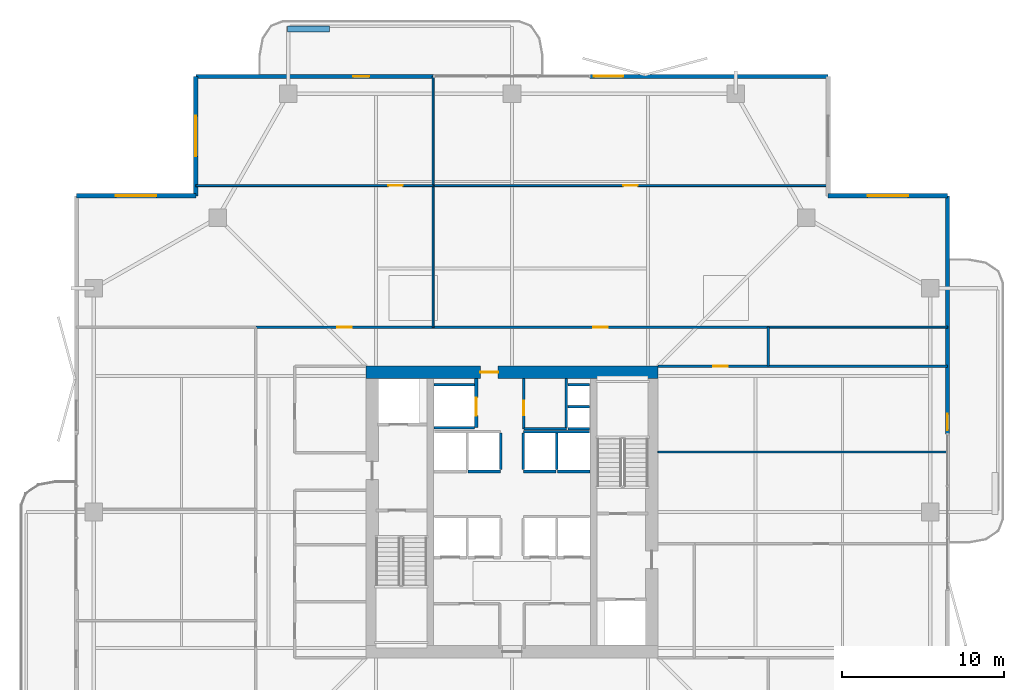
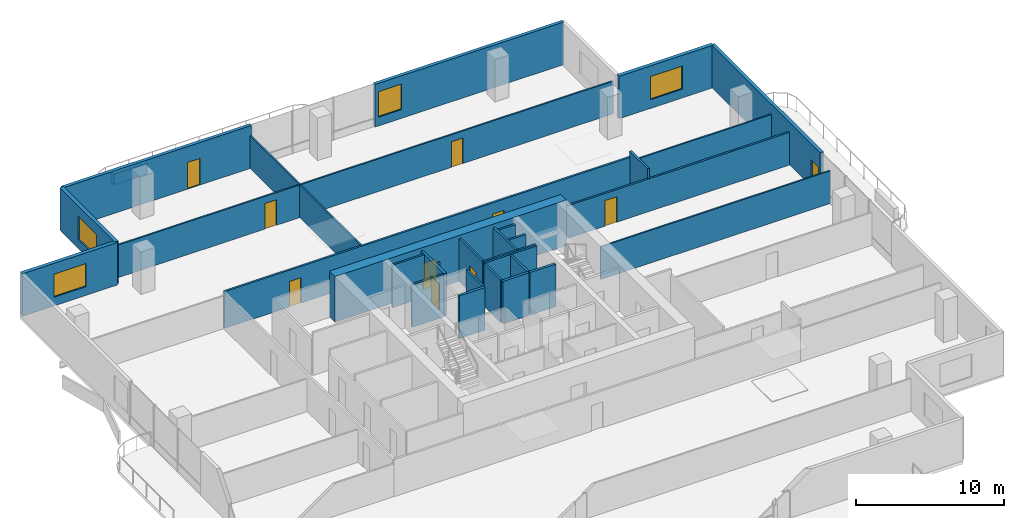
# One storey, part 19 of 24: 32 walls, 10 doors, 4 windows, 14 openings.
"""IFC4 building model written with IfcOpenShell, lengths in metres."""

from ifc_helpers import new_model, si_unit, direction, frame, frame_2d, origin, place, context, subcontext, project, spatial, rectangle, extrude, material, layer, layer_set, type_object, element, fill, save


model = new_model("IFC4")

# Units and contexts
model_context = context("Model", 3, precision=1e-05, world=origin(), true_north=direction((0.0, 1.0)))
body_context = subcontext(model_context, "Body", "Model", "MODEL_VIEW")
ifc_project = project(units=[si_unit("LENGTHUNIT", "METRE"), si_unit("AREAUNIT", "SQUARE_METRE"), si_unit("VOLUMEUNIT", "CUBIC_METRE"), si_unit("PLANEANGLEUNIT", "RADIAN"), si_unit("MASSUNIT", "GRAM", prefix="KILO")], contexts=[model_context])

# Site, building, storey
site_placement = place(None, origin())
site = spatial("IfcSite", under=ifc_project, at=site_placement, CompositionType="ELEMENT")
building_placement = place(site_placement, origin())
building = spatial("IfcBuilding", under=site, at=building_placement, Name="Belovzor Exchange Tower", CompositionType="ELEMENT")
storey_placement = place(building_placement, frame((0.0, 0.0, 237.449951171875)))
storey = spatial("IfcBuildingStorey", under=building, at=storey_placement, Name="L59", CompositionType="ELEMENT", Elevation=237.449951171875)

# Wall, opening, door
ifc_material_1 = material(Name="Acoustic Plasterboard on Galvanised Studs", Category="gypsum")
ifc_layer_1 = layer(ifc_material_1, 0.1201171875)
ifc_layer_set_1 = layer_set([ifc_layer_1], Name="Acoustic Plasterboard on Galvanised Studs")
wall_type_1 = type_object("IfcWallType", Name="Acoustic Double-Stud Partition Wall 120", PredefinedType="PARTITIONING", material=ifc_layer_set_1)
wall_1_placement = place(storey_placement, frame((9.300048828125, 48.93505859375, 0.0), z_axis=(0.0, 0.0, 1.0), x_axis=(1.0, 0.0, 0.0)))
wall_1 = element("IfcWall", 1, at=wall_1_placement, inside=storey, type_object=wall_type_1, Name="W-P120 Partition Wall W-L59-NHDIV-0", PredefinedType="PARTITIONING", context=body_context, shape_type="SweptSolid", body=[
    extrude(rectangle(XDim=14.639892578125, YDim=0.1201171875, at=frame_2d((7.31982421875, 0.0))), origin(), (0.0, 0.0, 1.0), 2.68505859375),
])
opening_1_placement = place(wall_1_placement, frame((11.873046875, 0.0, 0.0)))
opening_1 = element("IfcOpeningElement", 2, at=opening_1_placement, cuts=wall_1, Name="Opening D-INT-090", PredefinedType="OPENING", context=body_context, shape_type="SweptSolid", body=[
    extrude(rectangle(XDim=0.89990234375, YDim=2.10009765625, at=frame_2d((0.449951171875, 1.050048828125))), frame((0.0, 0.070068359375, 0.0), z_axis=(0.0, -1.0, 0.0), x_axis=(1.0, 0.0, 0.0)), (0.0, 0.0, 1.0), 0.14013671875),
])
ifc_material_2 = material(Name="Veneered Hardwood Acoustic Leaf", Category="wood")
door_type_1 = type_object("IfcDoorType", Name="Trading Suite Acoustic Single Door 900x2100", OperationType="NOTDEFINED", PredefinedType="DOOR", material=ifc_material_2)
door_1_placement = place(opening_1_placement, origin())
door_1 = element("IfcDoor", 3, at=door_1_placement, inside=storey, type_object=door_type_1, Name="D-INT-090 Trading Suite Acoustic Single Door 900x2100", OperationType="SINGLE_SWING_RIGHT", OverallHeight=2.10009765625, OverallWidth=0.89990234375, PredefinedType="DOOR", context=body_context, shape_type="SweptSolid", body=[
    extrude(rectangle(XDim=0.89990234375, YDim=2.10009765625, at=frame_2d((0.449951171875, 1.050048828125))), frame((0.0, 0.02490234375, 0.0), z_axis=(0.0, -1.0, 0.0), x_axis=(1.0, 0.0, 0.0)), (0.0, 0.0, 1.0), 0.050048828125),
])
fill(opening_1, door_1)

# Wall
wall_2_placement = place(storey_placement, frame((23.93994140625, 40.199951171875, 0.0), z_axis=(0.0, 0.0, 1.0), x_axis=(0.0, 1.0, 0.0)))
element("IfcWall", 4, at=wall_2_placement, inside=storey, type_object=wall_type_1, Name="W-P120 Partition Wall W-L59-NDIV-1", PredefinedType="PARTITIONING", context=body_context, shape_type="SweptSolid", body=[
    extrude(rectangle(XDim=15.469970703125, YDim=0.1201171875, at=frame_2d((7.73486328125, 0.0))), origin(), (0.0, 0.0, 1.0), 2.68505859375),
])

# Wall, opening, door
wall_3_placement = place(storey_placement, frame((23.93994140625, 48.93505859375, 0.0), z_axis=(0.0, 0.0, 1.0), x_axis=(1.0, 0.0, 0.0)))
wall_3 = element("IfcWall", 5, at=wall_3_placement, inside=storey, type_object=wall_type_1, Name="W-P120 Partition Wall W-L59-NHDIV-1", PredefinedType="PARTITIONING", context=body_context, shape_type="SweptSolid", body=[
    extrude(rectangle(XDim=24.360107421875, YDim=0.1201171875, at=frame_2d((12.18017578125, 0.0))), origin(), (0.0, 0.0, 1.0), 2.68505859375),
])
opening_2_placement = place(wall_3_placement, frame((11.72998046875, 0.0, 0.0)))
opening_2 = element("IfcOpeningElement", 6, at=opening_2_placement, cuts=wall_3, Name="Opening D-INT-090", PredefinedType="OPENING", context=body_context, shape_type="SweptSolid", body=[
    extrude(rectangle(XDim=0.89990234375, YDim=2.10009765625, at=frame_2d((0.449951171875, 1.050048828125))), frame((0.0, 0.070068359375, 0.0), z_axis=(0.0, -1.0, 0.0), x_axis=(1.0, 0.0, 0.0)), (0.0, 0.0, 1.0), 0.14013671875),
])
door_2_placement = place(opening_2_placement, origin())
door_2 = element("IfcDoor", 7, at=door_2_placement, inside=storey, type_object=door_type_1, Name="D-INT-090 Trading Suite Acoustic Single Door 900x2100", OperationType="SINGLE_SWING_RIGHT", OverallHeight=2.10009765625, OverallWidth=0.89990234375, PredefinedType="DOOR", context=body_context, shape_type="SweptSolid", body=[
    extrude(rectangle(XDim=0.89990234375, YDim=2.10009765625, at=frame_2d((0.449951171875, 1.050048828125))), frame((0.0, 0.02490234375, 0.0), z_axis=(0.0, -1.0, 0.0), x_axis=(1.0, 0.0, 0.0)), (0.0, 0.0, 1.0), 0.050048828125),
])
fill(opening_2, door_2)

# Walls
wall_4_placement = place(storey_placement, frame((37.800048828125, 32.5, 0.0), z_axis=(0.0, 0.0, 1.0), x_axis=(1.0, 0.0, 0.0)))
element("IfcWall", 8, at=wall_4_placement, inside=storey, type_object=wall_type_1, Name="W-P120 Partition Wall W-L59-EDIV-2", PredefinedType="PARTITIONING", context=body_context, shape_type="SweptSolid", body=[
    extrude(rectangle(XDim=17.869873046875, YDim=0.1201171875, at=frame_2d((8.93505859375, 0.0))), origin(), (0.0, 0.0, 1.0), 2.68505859375),
])
wall_5_placement = place(storey_placement, frame((44.60009765625, 40.199951171875, 0.0), z_axis=(0.0, 0.0, 1.0), x_axis=(1.0, 0.0, 0.0)))
element("IfcWall", 9, at=wall_5_placement, inside=storey, type_object=wall_type_1, Name="W-P120 Partition Wall W-L59-END-NE", PredefinedType="PARTITIONING", context=body_context, shape_type="SweptSolid", body=[
    extrude(rectangle(XDim=11.06982421875, YDim=0.1201171875, at=frame_2d((5.534912109375, 0.0))), origin(), (0.0, 0.0, 1.0), 2.68505859375),
])

# Wall, opening, door
ifc_material_3 = material(Name="Fire-Rated Gypsum Block and Mineral Wool", Category="gypsum")
ifc_layer_2 = layer(ifc_material_3, 0.14990234375)
ifc_layer_set_2 = layer_set([ifc_layer_2], Name="Fire-Rated Gypsum Block and Mineral Wool")
wall_type_2 = type_object("IfcWallType", Name="Fire-Rated Gypsum Block Corridor Wall 150", PredefinedType="PARTITIONING", material=ifc_layer_set_2)
wall_6_placement = place(storey_placement, frame((29.52490234375, 33.925048828125, 0.0), z_axis=(0.0, 0.0, 1.0), x_axis=(0.0, 1.0, 0.0)))
wall_6 = element("IfcWall", 10, at=wall_6_placement, inside=storey, type_object=wall_type_2, Name="W-P150 Partition Wall W-CRV-L59-W", PredefinedType="PARTITIONING", context=body_context, shape_type="SweptSolid", body=[
    extrude(rectangle(XDim=3.125, YDim=0.14990234375, at=frame_2d((1.5625, 0.0))), origin(), (0.0, 0.0, 1.0), 3.5),
])
opening_3_placement = place(wall_6_placement, frame((0.85009765625, 0.0, 0.0)))
opening_3 = element("IfcOpeningElement", 11, at=opening_3_placement, cuts=wall_6, Name="Opening D-FD60-090", PredefinedType="OPENING", context=body_context, shape_type="SweptSolid", body=[
    extrude(rectangle(XDim=0.89990234375, YDim=2.10009765625, at=frame_2d((0.449951171875, 1.050048828125))), frame((0.0, 0.0849609375, 0.0), z_axis=(0.0, -1.0, 0.0), x_axis=(1.0, 0.0, 0.0)), (0.0, 0.0, 1.0), 0.169921875),
])
ifc_material_4 = material(Name="Acoustic Timber Fire Leaf", Category="wood")
door_type_2 = type_object("IfcDoorType", Name="Core Service & Restroom Fire Door 900x2100", OperationType="NOTDEFINED", PredefinedType="DOOR", material=ifc_material_4)
door_3_placement = place(opening_3_placement, origin())
door_3 = element("IfcDoor", 12, at=door_3_placement, inside=storey, type_object=door_type_2, Name="D-FD60-090 Core Service & Restroom Fire Door 900x2100", OperationType="SINGLE_SWING_LEFT", OverallHeight=2.10009765625, OverallWidth=0.89990234375, PredefinedType="DOOR", context=body_context, shape_type="SweptSolid", body=[
    extrude(rectangle(XDim=0.89990234375, YDim=2.10009765625, at=frame_2d((0.449951171875, 1.050048828125))), frame((0.0, 0.02490234375, 0.0), z_axis=(0.0, -1.0, 0.0), x_axis=(1.0, 0.0, 0.0)), (0.0, 0.0, 1.0), 0.050048828125),
])
fill(opening_3, door_3)

# Walls
wall_7_placement = place(storey_placement, frame((29.52490234375, 33.925048828125, 0.0), z_axis=(0.0, 0.0, 1.0), x_axis=(1.0, 0.0, 0.0)))
element("IfcWall", 13, at=wall_7_placement, inside=storey, type_object=wall_type_2, Name="W-P150 Partition Wall W-CRV-L59-S", PredefinedType="PARTITIONING", context=body_context, shape_type="SweptSolid", body=[
    extrude(rectangle(XDim=2.625, YDim=0.14990234375, at=frame_2d((1.3125, 0.0))), origin(), (0.0, 0.0, 1.0), 3.5),
])
wall_8_placement = place(storey_placement, frame((44.60009765625, 37.800048828125, 0.0), z_axis=(0.0, 0.0, 1.0), x_axis=(0.0, 1.0, 0.0)))
element("IfcWall", 14, at=wall_8_placement, inside=storey, type_object=wall_type_2, Name="W-P150 Partition Wall W-L59-END-EN", PredefinedType="PARTITIONING", context=body_context, shape_type="SweptSolid", body=[
    extrude(rectangle(XDim=2.39990234375, YDim=0.14990234375, at=frame_2d((1.199951171875, 0.0))), origin(), (0.0, 0.0, 1.0), 3.5),
])

# Wall, opening, door
wall_9_placement = place(storey_placement, frame((37.800048828125, 37.800048828125, 0.0), z_axis=(0.0, 0.0, 1.0), x_axis=(1.0, 0.0, 0.0)))
wall_9 = element("IfcWall", 15, at=wall_9_placement, inside=storey, type_object=wall_type_2, Name="W-P150 Partition Wall W-L59-CN-IN", PredefinedType="PARTITIONING", context=body_context, shape_type="SweptSolid", body=[
    extrude(rectangle(XDim=17.869873046875, YDim=0.14990234375, at=frame_2d((8.93505859375, 0.0))), origin(), (0.0, 0.0, 1.0), 2.68505859375),
])
opening_4_placement = place(wall_9_placement, frame((3.39990234375, 0.0, 0.0)))
opening_4 = element("IfcOpeningElement", 16, at=opening_4_placement, cuts=wall_9, Name="Opening D-INT-090", PredefinedType="OPENING", context=body_context, shape_type="SweptSolid", body=[
    extrude(rectangle(XDim=0.89990234375, YDim=2.10009765625, at=frame_2d((0.449951171875, 1.050048828125))), frame((0.0, 0.0849609375, 0.0), z_axis=(0.0, -1.0, 0.0), x_axis=(1.0, 0.0, 0.0)), (0.0, 0.0, 1.0), 0.169921875),
])
door_4_placement = place(opening_4_placement, origin())
door_4 = element("IfcDoor", 17, at=door_4_placement, inside=storey, type_object=door_type_1, Name="D-INT-090 Trading Suite Acoustic Single Door 900x2100", OperationType="SINGLE_SWING_RIGHT", OverallHeight=2.10009765625, OverallWidth=0.89990234375, PredefinedType="DOOR", context=body_context, shape_type="SweptSolid", body=[
    extrude(rectangle(XDim=0.89990234375, YDim=2.10009765625, at=frame_2d((0.449951171875, 1.050048828125))), frame((0.0, 0.02490234375, 0.0), z_axis=(0.0, -1.0, 0.0), x_axis=(1.0, 0.0, 0.0)), (0.0, 0.0, 1.0), 0.050048828125),
])
fill(opening_4, door_4)

# Wall, openings, doors
wall_10_placement = place(storey_placement, frame((13.0, 40.199951171875, 0.0), z_axis=(0.0, 0.0, 1.0), x_axis=(1.0, 0.0, 0.0)))
wall_10 = element("IfcWall", 18, at=wall_10_placement, inside=storey, type_object=wall_type_2, Name="W-P150 Partition Wall W-L59-CN", PredefinedType="PARTITIONING", context=body_context, shape_type="SweptSolid", body=[
    extrude(rectangle(XDim=31.60009765625, YDim=0.14990234375, at=frame_2d((15.800048828125, 0.0))), origin(), (0.0, 0.0, 1.0), 3.03515625),
])
opening_5_placement = place(wall_10_placement, frame((5.02001953125, 0.0, 0.0)))
opening_5 = element("IfcOpeningElement", 19, at=opening_5_placement, cuts=wall_10, Name="Opening D-INT-090", PredefinedType="OPENING", context=body_context, shape_type="SweptSolid", body=[
    extrude(rectangle(XDim=0.89990234375, YDim=2.10009765625, at=frame_2d((0.449951171875, 1.050048828125))), frame((0.0, 0.0849609375, 0.0), z_axis=(0.0, -1.0, 0.0), x_axis=(1.0, 0.0, 0.0)), (0.0, 0.0, 1.0), 0.169921875),
])
opening_6_placement = place(wall_10_placement, frame((20.820068359375, 0.0, 0.0)))
opening_6 = element("IfcOpeningElement", 20, at=opening_6_placement, cuts=wall_10, Name="Opening D-INT-090", PredefinedType="OPENING", context=body_context, shape_type="SweptSolid", body=[
    extrude(rectangle(XDim=0.89990234375, YDim=2.10009765625, at=frame_2d((0.449951171875, 1.050048828125))), frame((0.0, 0.0849609375, 0.0), z_axis=(0.0, -1.0, 0.0), x_axis=(1.0, 0.0, 0.0)), (0.0, 0.0, 1.0), 0.169921875),
])
door_5_placement = place(opening_5_placement, origin())
door_5 = element("IfcDoor", 21, at=door_5_placement, inside=storey, type_object=door_type_1, Name="D-INT-090 Trading Suite Acoustic Single Door 900x2100", OperationType="SINGLE_SWING_LEFT", OverallHeight=2.10009765625, OverallWidth=0.89990234375, PredefinedType="DOOR", context=body_context, shape_type="SweptSolid", body=[
    extrude(rectangle(XDim=0.89990234375, YDim=2.10009765625, at=frame_2d((0.449951171875, 1.050048828125))), frame((0.0, 0.02490234375, 0.0), z_axis=(0.0, -1.0, 0.0), x_axis=(1.0, 0.0, 0.0)), (0.0, 0.0, 1.0), 0.050048828125),
])
fill(opening_5, door_5)
door_6_placement = place(opening_6_placement, origin())
door_6 = element("IfcDoor", 22, at=door_6_placement, inside=storey, type_object=door_type_1, Name="D-INT-090 Trading Suite Acoustic Single Door 900x2100", OperationType="SINGLE_SWING_RIGHT", OverallHeight=2.10009765625, OverallWidth=0.89990234375, PredefinedType="DOOR", context=body_context, shape_type="SweptSolid", body=[
    extrude(rectangle(XDim=0.89990234375, YDim=2.10009765625, at=frame_2d((0.449951171875, 1.050048828125))), frame((0.0, 0.02490234375, 0.0), z_axis=(0.0, -1.0, 0.0), x_axis=(1.0, 0.0, 0.0)), (0.0, 0.0, 1.0), 0.050048828125),
])
fill(opening_6, door_6)

# Wall, opening, window
ifc_material_5 = material(Name="Precast concrete C40/50", Category="concrete")
ifc_layer_3 = layer(ifc_material_5, 0.280029296875)
ifc_layer_set_3 = layer_set([ifc_layer_3], Name="Precast concrete C40/50")
wall_type_3 = type_object("IfcWallType", Name="Precast Concrete Notched Corner Frame Wall 280", PredefinedType="SOLIDWALL", material=ifc_layer_set_3)
wall_11_placement = place(storey_placement, frame((1.929931640625, 48.300048828125, 0.0), z_axis=(0.0, 0.0, 1.0), x_axis=(1.0, 0.0, 0.0)))
wall_11 = element("IfcWall", 23, at=wall_11_placement, inside=storey, type_object=wall_type_3, Name="W-CRN280 Precast Concrete Notched Corner Frame Wall 280 L59", PredefinedType="SOLIDWALL", context=body_context, shape_type="SweptSolid", body=[
    extrude(rectangle(XDim=7.3701171875, YDim=0.280029296875, at=frame_2d((3.68505859375, 0.0))), origin(), (0.0, 0.0, 1.0), 3.5),
])
opening_7_placement = place(wall_11_placement, frame((2.43505859375, 0.0, 0.719970703125)))
opening_7 = element("IfcOpeningElement", 24, at=opening_7_placement, cuts=wall_11, Name="Opening WN-CRN250", PredefinedType="OPENING", context=body_context, shape_type="SweptSolid", body=[
    extrude(rectangle(XDim=2.5, YDim=1.89990234375, at=frame_2d((1.25, 0.949951171875))), frame((0.0, 0.14990234375, 0.0), z_axis=(0.0, -1.0, 0.0), x_axis=(1.0, 0.0, 0.0)), (0.0, 0.0, 1.0), 0.300048828125),
])
ifc_material_6 = material(Name="Thermally Broken Aluminium and Triple Glazing", Category="aluminium")
window_type_1 = type_object("IfcWindowType", Name="Streamline Moderne Corner Wrap Ribbon Window 2500x1900", PartitioningType="SINGLE_PANEL", PredefinedType="WINDOW", material=ifc_material_6)
window_1_placement = place(opening_7_placement, origin())
window_1 = element("IfcWindow", 25, at=window_1_placement, inside=storey, type_object=window_type_1, Name="WN-CRN250 Streamline Moderne Corner Wrap Ribbon Window 2500x1900", OverallHeight=1.89990234375, OverallWidth=2.5, PartitioningType="SINGLE_PANEL", PredefinedType="WINDOW", context=body_context, shape_type="SweptSolid", body=[
    extrude(rectangle(XDim=2.5, YDim=1.89990234375, at=frame_2d((1.25, 0.949951171875))), frame((0.0, 0.030029296875, 0.0), z_axis=(0.0, -1.0, 0.0), x_axis=(1.0, 0.0, 0.0)), (0.0, 0.0, 1.0), 0.06005859375),
])
fill(opening_7, window_1)

wall_12_placement = place(storey_placement, frame((9.300048828125, 48.300048828125, 0.0), z_axis=(0.0, 0.0, 1.0), x_axis=(0.0, 1.0, 0.0)))
wall_12 = element("IfcWall", 26, at=wall_12_placement, inside=storey, type_object=wall_type_3, Name="W-CRN280 Precast Concrete Notched Corner Frame Wall 280 L59", PredefinedType="SOLIDWALL", context=body_context, shape_type="SweptSolid", body=[
    extrude(rectangle(XDim=7.369873046875, YDim=0.280029296875, at=frame_2d((3.68505859375, 0.0))), origin(), (0.0, 0.0, 1.0), 3.5),
])
opening_8_placement = place(wall_12_placement, frame((2.43505859375, 0.0, 0.719970703125)))
opening_8 = element("IfcOpeningElement", 27, at=opening_8_placement, cuts=wall_12, Name="Opening WN-CRN250", PredefinedType="OPENING", context=body_context, shape_type="SweptSolid", body=[
    extrude(rectangle(XDim=2.5, YDim=1.89990234375, at=frame_2d((1.25, 0.949951171875))), frame((0.0, 0.14990234375, 0.0), z_axis=(0.0, -1.0, 0.0), x_axis=(1.0, 0.0, 0.0)), (0.0, 0.0, 1.0), 0.300048828125),
])
window_2_placement = place(opening_8_placement, origin())
window_2 = element("IfcWindow", 28, at=window_2_placement, inside=storey, type_object=window_type_1, Name="WN-CRN250 Streamline Moderne Corner Wrap Ribbon Window 2500x1900", OverallHeight=1.89990234375, OverallWidth=2.5, PartitioningType="SINGLE_PANEL", PredefinedType="WINDOW", context=body_context, shape_type="SweptSolid", body=[
    extrude(rectangle(XDim=2.5, YDim=1.89990234375, at=frame_2d((1.25, 0.949951171875))), frame((0.0, 0.030029296875, 0.0), z_axis=(0.0, -1.0, 0.0), x_axis=(1.0, 0.0, 0.0)), (0.0, 0.0, 1.0), 0.06005859375),
])
fill(opening_8, window_2)

wall_13_placement = place(storey_placement, frame((48.300048828125, 48.300048828125, 0.0), z_axis=(0.0, 0.0, 1.0), x_axis=(1.0, 0.0, 0.0)))
wall_13 = element("IfcWall", 29, at=wall_13_placement, inside=storey, type_object=wall_type_3, Name="W-CRN280 Precast Concrete Notched Corner Frame Wall 280 L59", PredefinedType="SOLIDWALL", context=body_context, shape_type="SweptSolid", body=[
    extrude(rectangle(XDim=7.369873046875, YDim=0.280029296875, at=frame_2d((3.68505859375, 0.0))), origin(), (0.0, 0.0, 1.0), 3.5),
])
opening_9_placement = place(wall_13_placement, frame((2.43505859375, 0.0, 0.719970703125)))
opening_9 = element("IfcOpeningElement", 30, at=opening_9_placement, cuts=wall_13, Name="Opening WN-CRN250", PredefinedType="OPENING", context=body_context, shape_type="SweptSolid", body=[
    extrude(rectangle(XDim=2.5, YDim=1.89990234375, at=frame_2d((1.25, 0.949951171875))), frame((0.0, 0.14990234375, 0.0), z_axis=(0.0, -1.0, 0.0), x_axis=(1.0, 0.0, 0.0)), (0.0, 0.0, 1.0), 0.300048828125),
])
window_3_placement = place(opening_9_placement, origin())
window_3 = element("IfcWindow", 31, at=window_3_placement, inside=storey, type_object=window_type_1, Name="WN-CRN250 Streamline Moderne Corner Wrap Ribbon Window 2500x1900", OverallHeight=1.89990234375, OverallWidth=2.5, PartitioningType="SINGLE_PANEL", PredefinedType="WINDOW", context=body_context, shape_type="SweptSolid", body=[
    extrude(rectangle(XDim=2.5, YDim=1.89990234375, at=frame_2d((1.25, 0.949951171875))), frame((0.0, 0.030029296875, 0.0), z_axis=(0.0, -1.0, 0.0), x_axis=(1.0, 0.0, 0.0)), (0.0, 0.0, 1.0), 0.06005859375),
])
fill(opening_9, window_3)

# Wall, opening, door
ifc_material_7 = material(Name="Precast concrete C40/50", Category="concrete")
ifc_layer_4 = layer(ifc_material_7, 0.260009765625)
ifc_layer_set_4 = layer_set([ifc_layer_4], Name="Precast concrete C40/50")
wall_type_4 = type_object("IfcWallType", Name="Precast Concrete Perimeter Loggia Frame Wall 260", PredefinedType="SOLIDWALL", material=ifc_layer_set_4)
wall_14_placement = place(storey_placement, frame((9.300048828125, 55.669921875, 0.0), z_axis=(0.0, 0.0, 1.0), x_axis=(1.0, 0.0, 0.0)))
wall_14 = element("IfcWall", 32, at=wall_14_placement, inside=storey, type_object=wall_type_4, Name="W-EXT260 Precast Concrete Perimeter Loggia Frame Wall 260 L59", PredefinedType="SOLIDWALL", context=body_context, shape_type="SweptSolid", body=[
    extrude(rectangle(XDim=14.699951171875, YDim=0.260009765625, at=frame_2d((7.35009765625, 0.0))), origin(), (0.0, 0.0, 1.0), 3.5),
])
opening_10_placement = place(wall_14_placement, frame((9.694091796875, 0.0, 0.0)))
opening_10 = element("IfcOpeningElement", 33, at=opening_10_placement, cuts=wall_14, Name="Opening D-BAL100", PredefinedType="OPENING", context=body_context, shape_type="SweptSolid", body=[
    extrude(rectangle(XDim=1.0, YDim=2.199951171875, at=frame_2d((0.5, 1.10009765625))), frame((0.0, 0.139892578125, 0.0), z_axis=(0.0, -1.0, 0.0), x_axis=(1.0, 0.0, 0.0)), (0.0, 0.0, 1.0), 0.280029296875),
])
ifc_material_8 = material(Name="Thermally Broken Anodised Aluminium and Laminated Glass", Category="aluminium")
door_type_3 = type_object("IfcDoorType", Name="Planted Loggia Terrace Glazed Door 1000x2200", OperationType="SINGLE_SWING_LEFT", PredefinedType="DOOR", material=ifc_material_8)
door_7_placement = place(opening_10_placement, origin())
door_7 = element("IfcDoor", 34, at=door_7_placement, inside=storey, type_object=door_type_3, Name="D-BAL100 Balcony Terrace Door L59 N", OperationType="SINGLE_SWING_RIGHT", OverallHeight=2.199951171875, OverallWidth=1.0, PredefinedType="DOOR", context=body_context, shape_type="SweptSolid", body=[
    extrude(rectangle(XDim=1.0, YDim=2.199951171875, at=frame_2d((0.5, 1.10009765625))), frame((0.0, 0.02490234375, 0.0), z_axis=(0.0, -1.0, 0.0), x_axis=(1.0, 0.0, 0.0)), (0.0, 0.0, 1.0), 0.050048828125),
])
fill(opening_10, door_7)

# Wall, opening, window
wall_15_placement = place(storey_placement, frame((33.60009765625, 55.669921875, 0.0), z_axis=(0.0, 0.0, 1.0), x_axis=(1.0, 0.0, 0.0)))
wall_15 = element("IfcWall", 35, at=wall_15_placement, inside=storey, type_object=wall_type_4, Name="W-EXT260 Precast Concrete Perimeter Loggia Frame Wall 260 L59", PredefinedType="SOLIDWALL", context=body_context, shape_type="SweptSolid", body=[
    extrude(rectangle(XDim=14.699951171875, YDim=0.260009765625, at=frame_2d((7.35009765625, 0.0))), origin(), (0.0, 0.0, 1.0), 3.5),
])
opening_11_placement = place(wall_15_placement, frame((0.25, 0.0, 0.719970703125)))
opening_11 = element("IfcOpeningElement", 36, at=opening_11_placement, cuts=wall_15, Name="Opening WN-LOG180", PredefinedType="OPENING", context=body_context, shape_type="SweptSolid", body=[
    extrude(rectangle(XDim=1.800048828125, YDim=2.10009765625, at=frame_2d((0.89990234375, 1.050048828125))), frame((0.0, 0.139892578125, 0.0), z_axis=(0.0, -1.0, 0.0), x_axis=(1.0, 0.0, 0.0)), (0.0, 0.0, 1.0), 0.280029296875),
])
ifc_material_9 = material(Name="Thermally Broken Aluminium and Triple Glazing", Category="aluminium")
window_type_2 = type_object("IfcWindowType", Name="Triple-Glazed Loggia Punched Window 1800x2100", PartitioningType="SINGLE_PANEL", PredefinedType="WINDOW", material=ifc_material_9)
window_4_placement = place(opening_11_placement, origin())
window_4 = element("IfcWindow", 37, at=window_4_placement, inside=storey, type_object=window_type_2, Name="WN-LOG180 Triple-Glazed Loggia Punched Window 1800x2100", OverallHeight=2.10009765625, OverallWidth=1.800048828125, PartitioningType="SINGLE_PANEL", PredefinedType="WINDOW", context=body_context, shape_type="SweptSolid", body=[
    extrude(rectangle(XDim=1.800048828125, YDim=2.10009765625, at=frame_2d((0.89990234375, 1.050048828125))), frame((0.0, 0.030029296875, 0.0), z_axis=(0.0, -1.0, 0.0), x_axis=(1.0, 0.0, 0.0)), (0.0, 0.0, 1.0), 0.06005859375),
])
fill(opening_11, window_4)

# Wall, opening, door
wall_16_placement = place(storey_placement, frame((55.669921875, 48.300048828125, 0.0), z_axis=(0.0, 0.0, 1.0), x_axis=(0.0, -1.0, 0.0)))
wall_16 = element("IfcWall", 38, at=wall_16_placement, inside=storey, type_object=wall_type_4, Name="W-EXT260 Precast Concrete Perimeter Loggia Frame Wall 260 L59", PredefinedType="SOLIDWALL", context=body_context, shape_type="SweptSolid", body=[
    extrude(rectangle(XDim=14.699951171875, YDim=0.260009765625, at=frame_2d((7.35009765625, 0.0))), origin(), (0.0, 0.0, 1.0), 3.5),
])
opening_12_placement = place(wall_16_placement, frame((13.449951171875, 0.0, 0.0)))
opening_12 = element("IfcOpeningElement", 39, at=opening_12_placement, cuts=wall_16, Name="Opening D-BAL100", PredefinedType="OPENING", context=body_context, shape_type="SweptSolid", body=[
    extrude(rectangle(XDim=1.0, YDim=2.199951171875, at=frame_2d((0.5, 1.10009765625))), frame((0.0, 0.139892578125, 0.0), z_axis=(0.0, -1.0, 0.0), x_axis=(1.0, 0.0, 0.0)), (0.0, 0.0, 1.0), 0.280029296875),
])
door_8_placement = place(opening_12_placement, origin())
door_8 = element("IfcDoor", 40, at=door_8_placement, inside=storey, type_object=door_type_3, Name="D-BAL100 Balcony Terrace Door L59 E", OperationType="SINGLE_SWING_LEFT", OverallHeight=2.199951171875, OverallWidth=1.0, PredefinedType="DOOR", context=body_context, shape_type="SweptSolid", body=[
    extrude(rectangle(XDim=1.0, YDim=2.199951171875, at=frame_2d((0.5, 1.10009765625))), frame((0.0, 0.02490234375, 0.0), z_axis=(0.0, -1.0, 0.0), x_axis=(1.0, 0.0, 0.0)), (0.0, 0.0, 1.0), 0.050048828125),
])
fill(opening_12, door_8)

# Walls
ifc_material_10 = material(Name="Precast concrete C40/50", Category="concrete")
ifc_layer_5 = layer(ifc_material_10, 0.35009765625)
ifc_layer_set_5 = layer_set([ifc_layer_5], Name="Precast concrete C40/50")
wall_type_5 = type_object("IfcWallType", Name="Precast Concrete Structural Tree Planter Trough 350", PredefinedType="PARAPET", material=ifc_layer_set_5)
wall_17_placement = place(storey_placement, frame((14.949951171875, 58.60009765625, 0.0), z_axis=(0.0, 0.0, 1.0), x_axis=(1.0, 0.0, 0.0)))
element("IfcWall", 41, at=wall_17_placement, inside=storey, type_object=wall_type_5, Name="PT-350 Precast Concrete Structural Tree Planter Trough 350 L59", PredefinedType="PARAPET", context=body_context, shape_type="SweptSolid", body=[
    extrude(rectangle(XDim=2.60009765625, YDim=0.35009765625, at=frame_2d((1.300048828125, 0.0))), origin(), (0.0, 0.0, 1.0), 0.900146484375),
])
ifc_material_11 = material(Name="Concrete C50/60", Category="concrete")
ifc_layer_6 = layer(ifc_material_11, 0.14990234375)
ifc_layer_set_6 = layer_set([ifc_layer_6], Name="Concrete C50/60")
wall_type_6 = type_object("IfcWallType", Name="Reinforced Concrete Core Riser Shear Wall 150", PredefinedType="SHEAR", material=ifc_layer_set_6)
wall_18_placement = place(storey_placement, frame((32.14990234375, 34.0, 0.0), z_axis=(0.0, 0.0, 1.0), x_axis=(0.0, 1.0, 0.0)))
element("IfcWall", 42, at=wall_18_placement, inside=storey, type_object=wall_type_6, Name="W-C150S Core Shaft Wall W-RSR-L59-E", PredefinedType="SHEAR", context=body_context, shape_type="SweptSolid", body=[
    extrude(rectangle(XDim=3.050048828125, YDim=0.14990234375, at=frame_2d((1.52490234375, 0.0))), origin(), (0.0, 0.0, 1.0), 3.5),
])
for number, where, z_axis, x_axis, name in (
    (43, (32.25, 33.925048828125, 0.0), (0.0, 0.0, 1.0), (1.0, 0.0, 0.0), "W-C150S Core Shaft Wall W-RSR-L59-S"),
    (44, (32.25, 35.300048828125, 0.0), (0.0, 0.0, 1.0), (1.0, 0.0, 0.0), "W-C150S Core Shaft Wall W-RSR-L59-M"),
):
    element("IfcWall", number, at=place(storey_placement, frame(where, z_axis=z_axis, x_axis=x_axis)), inside=storey, type_object=wall_type_6, Name=name, PredefinedType="SHEAR", context=body_context, shape_type="SweptSolid", body=[
        extrude(rectangle(XDim=1.330078125, YDim=0.14990234375, at=frame_2d((0.6650390625, 0.0))), origin(), (0.0, 0.0, 1.0), 3.5),
    ])
for number, where, z_axis, x_axis, name in (
    (45, (24.0, 34.0, 0.0), (0.0, 0.0, 1.0), (1.0, 0.0, 0.0), "W-C150S Core Shaft Wall W-SH-L59-SL-01S"),
    (46, (24.0, 36.64990234375, 0.0), (0.0, 0.0, 1.0), (1.0, 0.0, 0.0), "W-C150S Core Shaft Wall W-SH-L59-SL-01N"),
):
    element("IfcWall", number, at=place(storey_placement, frame(where, z_axis=z_axis, x_axis=x_axis)), inside=storey, type_object=wall_type_6, Name=name, PredefinedType="SHEAR", context=body_context, shape_type="SweptSolid", body=[
        extrude(rectangle(XDim=2.47998046875, YDim=0.14990234375, at=frame_2d((1.239990234375, 0.0))), origin(), (0.0, 0.0, 1.0), 3.5),
    ])
wall_19_placement = place(storey_placement, frame((32.25, 36.64990234375, 0.0), z_axis=(0.0, 0.0, 1.0), x_axis=(1.0, 0.0, 0.0)))
element("IfcWall", 47, at=wall_19_placement, inside=storey, type_object=wall_type_6, Name="W-C150S Core Shaft Wall W-RSR-L59-N", PredefinedType="SHEAR", context=body_context, shape_type="SweptSolid", body=[
    extrude(rectangle(XDim=1.330078125, YDim=0.14990234375, at=frame_2d((0.6650390625, 0.0))), origin(), (0.0, 0.0, 1.0), 3.5),
])
wall_20_placement = place(storey_placement, frame((29.5, 33.760009765625, 0.0), z_axis=(0.0, 0.0, 1.0), x_axis=(1.0, 0.0, 0.0)))
element("IfcWall", 48, at=wall_20_placement, inside=storey, type_object=wall_type_6, Name="W-C150S Core Shaft Wall W-SHB-L59-PLH-NE", PredefinedType="SHEAR", context=body_context, shape_type="SweptSolid", body=[
    extrude(rectangle(XDim=4.080078125, YDim=0.14990234375, at=frame_2d((2.0400390625, 0.0))), origin(), (0.0, 0.0, 1.0), 3.5),
])
for number, where, z_axis, x_axis, name in (
    (49, (28.10009765625, 31.419921875, 0.0), (0.0, 0.0, 1.0), (0.0, 1.0, 0.0), "W-C150S Core Shaft Wall W-SHD-L59-PLH-2"),
    (50, (29.5, 31.419921875, 0.0), (0.0, 0.0, 1.0), (0.0, 1.0, 0.0), "W-C150S Core Shaft Wall W-SHD-L59-PLH-3"),
    (51, (31.550048828125, 31.419921875, 0.0), (0.0, 0.0, 1.0), (0.0, 1.0, 0.0), "W-C150S Core Shaft Wall W-SHD-L59-PLH-4"),
):
    element("IfcWall", number, at=place(storey_placement, frame(where, z_axis=z_axis, x_axis=x_axis)), inside=storey, type_object=wall_type_6, Name=name, PredefinedType="SHEAR", context=body_context, shape_type="SweptSolid", body=[
        extrude(rectangle(XDim=2.239990234375, YDim=0.14990234375, at=frame_2d((1.1201171875, 0.0))), origin(), (0.0, 0.0, 1.0), 3.5),
    ])

# Wall, opening, door
ifc_material_12 = material(Name="Concrete C50/60", Category="concrete")
ifc_layer_7 = layer(ifc_material_12, 0.199951171875)
ifc_layer_set_7 = layer_set([ifc_layer_7], Name="Concrete C50/60")
wall_type_7 = type_object("IfcWallType", Name="Reinforced Concrete Core Shaft Shear Wall 200", PredefinedType="SHEAR", material=ifc_layer_set_7)
wall_21_placement = place(storey_placement, frame((26.60009765625, 34.0, 0.0), z_axis=(0.0, 0.0, 1.0), x_axis=(0.0, 1.0, 0.0)))
wall_21 = element("IfcWall", 52, at=wall_21_placement, inside=storey, type_object=wall_type_7, Name="W-C200S Core Shaft Wall W-SH-L59-SL-01", PredefinedType="SHEAR", context=body_context, shape_type="SweptSolid", body=[
    extrude(rectangle(XDim=3.050048828125, YDim=0.199951171875, at=frame_2d((1.52490234375, 0.0))), origin(), (0.0, 0.0, 1.0), 3.5),
])
opening_13_placement = place(wall_21_placement, frame((0.75, 0.0, 0.0)))
opening_13 = element("IfcOpeningElement", 53, at=opening_13_placement, cuts=wall_21, Name="Opening LD-110", PredefinedType="OPENING", context=body_context, shape_type="SweptSolid", body=[
    extrude(rectangle(XDim=1.10009765625, YDim=2.14990234375, at=frame_2d((0.550048828125, 1.074951171875))), frame((0.0, 0.10986328125, 0.0), z_axis=(0.0, -1.0, 0.0), x_axis=(1.0, 0.0, 0.0)), (0.0, 0.0, 1.0), 0.219970703125),
])
ifc_material_13 = material(Name="Stainless Steel Grade 304", Category="steel")
door_type_4 = type_object("IfcDoorType", Name="Automated Stainless Steel Lift Landing Door 1100x2150", OperationType="SLIDING_TO_RIGHT", PredefinedType="DOOR", material=ifc_material_13)
door_9_placement = place(opening_13_placement, origin())
door_9 = element("IfcDoor", 54, at=door_9_placement, inside=storey, type_object=door_type_4, Name="LD-110 Automated Stainless Steel Lift Landing Door 1100x2150", OperationType="SLIDING_TO_RIGHT", OverallHeight=2.14990234375, OverallWidth=1.10009765625, PredefinedType="DOOR", context=body_context, shape_type="SweptSolid", body=[
    extrude(rectangle(XDim=1.10009765625, YDim=2.14990234375, at=frame_2d((0.550048828125, 1.074951171875))), frame((0.0, 0.02490234375, 0.0), z_axis=(0.0, -1.0, 0.0), x_axis=(1.0, 0.0, 0.0)), (0.0, 0.0, 1.0), 0.050048828125),
])
fill(opening_13, door_9)

# Walls
for number, where, z_axis, x_axis, name in (
    (55, (26.10009765625, 31.300048828125, 0.0), (0.0, 0.0, 1.0), (1.0, 0.0, 0.0), "W-C200S Core Shaft Wall W-SH-L59-PL-H2"),
    (56, (29.5, 31.300048828125, 0.0), (0.0, 0.0, 1.0), (1.0, 0.0, 0.0), "W-C200S Core Shaft Wall W-SH-L59-PL-H3"),
    (57, (31.60009765625, 31.300048828125, 0.0), (0.0, 0.0, 1.0), (1.0, 0.0, 0.0), "W-C200S Core Shaft Wall W-SH-L59-PL-H4"),
):
    element("IfcWall", number, at=place(storey_placement, frame(where, z_axis=z_axis, x_axis=x_axis)), inside=storey, type_object=wall_type_7, Name=name, PredefinedType="SHEAR", context=body_context, shape_type="SweptSolid", body=[
        extrude(rectangle(XDim=2.0, YDim=0.199951171875, at=frame_2d((1.0, 0.0))), origin(), (0.0, 0.0, 1.0), 3.5),
    ])

# Wall, opening, door
ifc_material_14 = material(Name="Concrete C50/60", Category="concrete")
ifc_layer_8 = layer(ifc_material_14, 0.75)
ifc_layer_set_8 = layer_set([ifc_layer_8], Name="Concrete C50/60")
wall_type_8 = type_object("IfcWallType", Name="Reinforced Concrete Core Shear Wall 750", PredefinedType="SHEAR", material=ifc_layer_set_8)
wall_22_placement = place(storey_placement, frame((19.800048828125, 37.425048828125, 0.0), z_axis=(0.0, 0.0, 1.0), x_axis=(1.0, 0.0, 0.0)))
wall_22 = element("IfcWall", 58, at=wall_22_placement, inside=storey, type_object=wall_type_8, Name="CW-S075 Core Shear Wall L59 N", PredefinedType="SHEAR", context=body_context, shape_type="SweptSolid", body=[
    extrude(rectangle(XDim=18.0, YDim=0.75, at=frame_2d((9.0, 0.0))), origin(), (0.0, 0.0, 1.0), 3.75),
])
opening_14_placement = place(wall_22_placement, frame((7.050048828125, 0.0, 0.0)))
opening_14 = element("IfcOpeningElement", 59, at=opening_14_placement, cuts=wall_22, Name="Opening D-FD90-110", PredefinedType="OPENING", context=body_context, shape_type="SweptSolid", body=[
    extrude(rectangle(XDim=1.10009765625, YDim=2.14990234375, at=frame_2d((0.550048828125, 1.074951171875))), frame((0.0, 0.385009765625, 0.0), z_axis=(0.0, -1.0, 0.0), x_axis=(1.0, 0.0, 0.0)), (0.0, 0.0, 1.0), 0.77001953125),
])
ifc_material_15 = material(Name="Fire-Rated Galvanised Steel Leaf", Category="steel")
door_type_5 = type_object("IfcDoorType", Name="Protected Escape Vestibule Fire Door 1100x2150", OperationType="NOTDEFINED", PredefinedType="DOOR", material=ifc_material_15)
door_10_placement = place(opening_14_placement, origin())
door_10 = element("IfcDoor", 60, at=door_10_placement, inside=storey, type_object=door_type_5, Name="D-FD90-110 Protected Escape Vestibule Fire Door 1100x2150", OperationType="SINGLE_SWING_RIGHT", OverallHeight=2.14990234375, OverallWidth=1.10009765625, PredefinedType="DOOR", context=body_context, shape_type="SweptSolid", body=[
    extrude(rectangle(XDim=1.10009765625, YDim=2.14990234375, at=frame_2d((0.550048828125, 1.074951171875))), frame((0.0, 0.02490234375, 0.0), z_axis=(0.0, -1.0, 0.0), x_axis=(1.0, 0.0, 0.0)), (0.0, 0.0, 1.0), 0.050048828125),
])
fill(opening_14, door_10)

save(model, "model.ifc")
